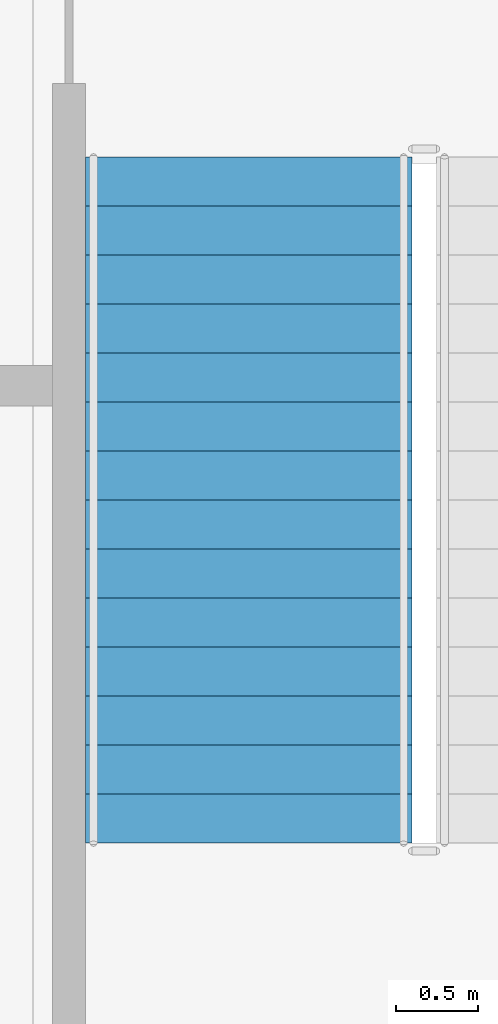
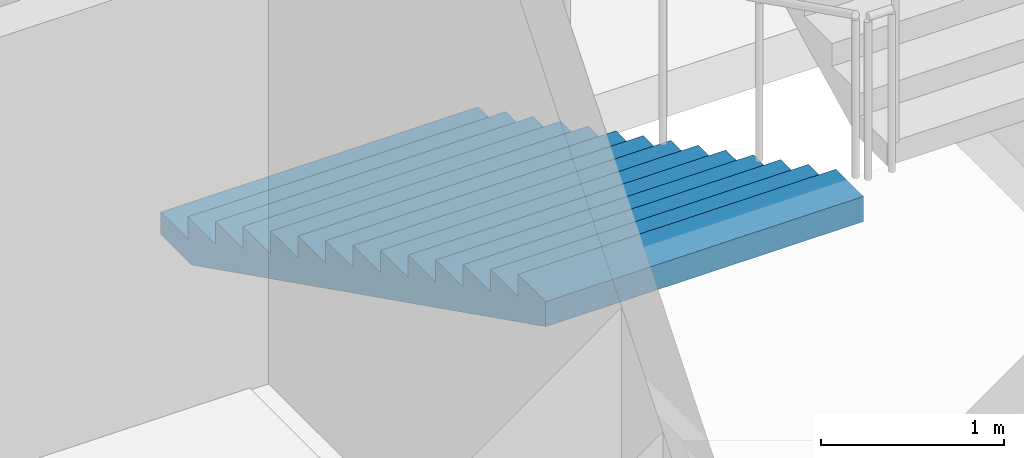
# One storey, part 88 of 95: 1 stair flight, 1 element without a shape of its own.
"""IFC4 building model written with IfcOpenShell, lengths in metres."""

from ifc_helpers import new_model, si_unit, direction, frame, origin, place, context, subcontext, project, spatial, faceted_brep, material, type_object, element, aggregate, save


model = new_model("IFC4")

# Units and contexts
model_context = context("Model", 3, precision=1e-05, world=origin(), true_north=direction((0.0, 1.0)))
body_context = subcontext(model_context, "Body", "Model", "MODEL_VIEW")
ifc_project = project(units=[si_unit("LENGTHUNIT", "METRE"), si_unit("AREAUNIT", "SQUARE_METRE"), si_unit("VOLUMEUNIT", "CUBIC_METRE"), si_unit("PLANEANGLEUNIT", "RADIAN"), si_unit("MASSUNIT", "GRAM", prefix="KILO")], contexts=[model_context])

# Site, building, storey
site_placement = place(None, origin())
site = spatial("IfcSite", under=ifc_project, at=site_placement, CompositionType="ELEMENT")
building_placement = place(site_placement, origin())
building = spatial("IfcBuilding", under=site, at=building_placement, Name="Kiln Court Media Centre", CompositionType="ELEMENT")
storey_placement = place(building_placement, frame((0.0, 0.0, 24.60009765625)))
storey = spatial("IfcBuildingStorey", under=building, at=storey_placement, Name="L05", CompositionType="ELEMENT", Elevation=24.60009765625)

# Stair, stair flight
ifc_material_1 = material(Name="Concrete C40/50", Category="concrete")
stair_type = type_object("IfcStairType", Name="Concrete C40/50 dog-leg stair 2000 wide, 150 riser", PredefinedType="HALF_TURN_STAIR", material=ifc_material_1)
stair_placement = place(storey_placement, origin())
stair = element("IfcStair", 1, at=stair_placement, inside=storey, type_object=stair_type, Name="ST-08 L05", PredefinedType="HALF_TURN_STAIR")
ifc_material_2 = material(Name="Concrete C40/50", Category="concrete")
stair_flight_type = type_object("IfcStairFlightType", Name="Concrete C40/50 stair flight 2000 wide, 150 riser, 300 going", PredefinedType="STRAIGHT", material=ifc_material_2)
stair_flight_placement = place(storey_placement, frame((30.0, 64.39990234375, 0.0), z_axis=(0.0, 0.0, 1.0), x_axis=(0.0, -1.0, 0.0)))
stair_flight = element("IfcStairFlight", 2, at=stair_flight_placement, type_object=stair_flight_type, Name="L05-ST-5004 flight 5008", NumberOfRisers=15, NumberOfTreads=14, PredefinedType="STRAIGHT", RiserHeight=0.15, TreadLength=0.3, context=body_context, shape_type="Brep", body=[
    faceted_brep([(0.335205078125, -1.0, 0.0), (4.199951171875, -1.0, 1.932373046875), (4.199951171875, -1.0, 2.10009765625), (3.89990234375, -1.0, 2.10009765625), (3.89990234375, -1.0, 1.949951171875), (3.60009765625, -1.0, 1.949951171875), (3.60009765625, -1.0, 1.800048828125), (3.300048828125, -1.0, 1.800048828125), (3.300048828125, -1.0, 1.64990234375), (3.0, -1.0, 1.64990234375), (3.0, -1.0, 1.5), (2.699951171875, -1.0, 1.5), (2.699951171875, -1.0, 1.35009765625), (2.39990234375, -1.0, 1.35009765625), (2.39990234375, -1.0, 1.199951171875), (2.10009765625, -1.0, 1.199951171875), (2.10009765625, -1.0, 1.050048828125), (1.800048828125, -1.0, 1.050048828125), (1.800048828125, -1.0, 0.89990234375), (1.5, -1.0, 0.89990234375), (1.5, -1.0, 0.75), (1.199951171875, -1.0, 0.75), (1.199951171875, -1.0, 0.60009765625), (0.89990234375, -1.0, 0.60009765625), (0.89990234375, -1.0, 0.449951171875), (0.60009765625, -1.0, 0.449951171875), (0.60009765625, -1.0, 0.300048828125), (0.300048828125, -1.0, 0.300048828125), (0.300048828125, -1.0, 0.14990234375), (0.0, -1.0, 0.14990234375), (0.0, -1.0, 0.0), (0.0, 1.0, 0.0), (0.0, 1.0, 0.14990234375), (0.300048828125, 1.0, 0.14990234375), (0.300048828125, 1.0, 0.300048828125), (0.60009765625, 1.0, 0.300048828125), (0.60009765625, 1.0, 0.449951171875), (0.89990234375, 1.0, 0.449951171875), (0.89990234375, 1.0, 0.60009765625), (1.199951171875, 1.0, 0.60009765625), (1.199951171875, 1.0, 0.75), (1.5, 1.0, 0.75), (1.5, 1.0, 0.89990234375), (1.800048828125, 1.0, 0.89990234375), (1.800048828125, 1.0, 1.050048828125), (2.10009765625, 1.0, 1.050048828125), (2.10009765625, 1.0, 1.199951171875), (2.39990234375, 1.0, 1.199951171875), (2.39990234375, 1.0, 1.35009765625), (2.699951171875, 1.0, 1.35009765625), (2.699951171875, 1.0, 1.5), (3.0, 1.0, 1.5), (3.0, 1.0, 1.64990234375), (3.300048828125, 1.0, 1.64990234375), (3.300048828125, 1.0, 1.800048828125), (3.60009765625, 1.0, 1.800048828125), (3.60009765625, 1.0, 1.949951171875), (3.89990234375, 1.0, 1.949951171875), (3.89990234375, 1.0, 2.10009765625), (4.199951171875, 1.0, 2.10009765625), (4.199951171875, 1.0, 1.932373046875), (0.335205078125, 1.0, 0.0), (4.199951171875, 0.10009765625, 1.932373046875), (0.335205078125, 0.10009765625, 0.0), (4.199951171875, 0.080078125, 1.932373046875), (0.335205078125, 0.080078125, 0.0), (4.199951171875, 0.06005859375, 1.932373046875), (0.335205078125, 0.06005859375, 0.0), (4.199951171875, 0.0400390625, 1.932373046875), (0.335205078125, 0.0400390625, 0.0), (4.199951171875, 0.02001953125, 1.932373046875), (0.335205078125, 0.02001953125, 0.0), (4.199951171875, 0.0, 1.932373046875), (0.335205078125, 0.0, 0.0), (4.199951171875, -0.02001953125, 1.932373046875), (0.335205078125, -0.02001953125, 0.0), (4.199951171875, -0.0400390625, 1.932373046875), (0.335205078125, -0.0400390625, 0.0), (4.199951171875, -0.06005859375, 1.932373046875), (0.335205078125, -0.06005859375, 0.0), (4.199951171875, -0.080078125, 1.932373046875), (0.335205078125, -0.080078125, 0.0), (4.199951171875, -0.10009765625, 1.932373046875), (0.335205078125, -0.10009765625, 0.0), (4.199951171875, 0.10009765625, 2.10009765625), (4.199951171875, 0.080078125, 2.10009765625), (4.199951171875, 0.06005859375, 2.10009765625), (4.199951171875, 0.0400390625, 2.10009765625), (4.199951171875, 0.02001953125, 2.10009765625), (4.199951171875, 0.0, 2.10009765625), (4.199951171875, -0.02001953125, 2.10009765625), (4.199951171875, -0.0400390625, 2.10009765625), (4.199951171875, -0.06005859375, 2.10009765625), (4.199951171875, -0.080078125, 2.10009765625), (4.199951171875, -0.10009765625, 2.10009765625), (3.89990234375, 0.10009765625, 2.10009765625), (3.89990234375, 0.080078125, 2.10009765625), (3.89990234375, 0.06005859375, 2.10009765625), (3.89990234375, 0.0400390625, 2.10009765625), (3.89990234375, 0.02001953125, 2.10009765625), (3.89990234375, 0.0, 2.10009765625), (3.89990234375, -0.02001953125, 2.10009765625), (3.89990234375, -0.0400390625, 2.10009765625), (3.89990234375, -0.06005859375, 2.10009765625), (3.89990234375, -0.080078125, 2.10009765625), (3.89990234375, -0.10009765625, 2.10009765625), (3.89990234375, 0.10009765625, 1.949951171875), (3.89990234375, 0.080078125, 1.949951171875), (3.89990234375, 0.06005859375, 1.949951171875), (3.89990234375, 0.0400390625, 1.949951171875), (3.89990234375, 0.02001953125, 1.949951171875), (3.89990234375, 0.0, 1.949951171875), (3.89990234375, -0.02001953125, 1.949951171875), (3.89990234375, -0.0400390625, 1.949951171875), (3.89990234375, -0.06005859375, 1.949951171875), (3.89990234375, -0.080078125, 1.949951171875), (3.89990234375, -0.10009765625, 1.949951171875), (3.60009765625, 0.10009765625, 1.949951171875), (3.60009765625, 0.080078125, 1.949951171875), (3.60009765625, 0.06005859375, 1.949951171875), (3.60009765625, 0.0400390625, 1.949951171875), (3.60009765625, 0.02001953125, 1.949951171875), (3.60009765625, 0.0, 1.949951171875), (3.60009765625, -0.02001953125, 1.949951171875), (3.60009765625, -0.0400390625, 1.949951171875), (3.60009765625, -0.06005859375, 1.949951171875), (3.60009765625, -0.080078125, 1.949951171875), (3.60009765625, -0.10009765625, 1.949951171875), (3.60009765625, 0.10009765625, 1.800048828125), (3.60009765625, 0.080078125, 1.800048828125), (3.60009765625, 0.06005859375, 1.800048828125), (3.60009765625, 0.0400390625, 1.800048828125), (3.60009765625, 0.02001953125, 1.800048828125), (3.60009765625, 0.0, 1.800048828125), (3.60009765625, -0.02001953125, 1.800048828125), (3.60009765625, -0.0400390625, 1.800048828125), (3.60009765625, -0.06005859375, 1.800048828125), (3.60009765625, -0.080078125, 1.800048828125), (3.60009765625, -0.10009765625, 1.800048828125), (3.300048828125, 0.10009765625, 1.800048828125), (3.300048828125, 0.080078125, 1.800048828125), (3.300048828125, 0.06005859375, 1.800048828125), (3.300048828125, 0.0400390625, 1.800048828125), (3.300048828125, 0.02001953125, 1.800048828125), (3.300048828125, 0.0, 1.800048828125), (3.300048828125, -0.02001953125, 1.800048828125), (3.300048828125, -0.0400390625, 1.800048828125), (3.300048828125, -0.06005859375, 1.800048828125), (3.300048828125, -0.080078125, 1.800048828125), (3.300048828125, -0.10009765625, 1.800048828125), (3.300048828125, 0.10009765625, 1.64990234375), (3.300048828125, 0.080078125, 1.64990234375), (3.300048828125, 0.06005859375, 1.64990234375), (3.300048828125, 0.0400390625, 1.64990234375), (3.300048828125, 0.02001953125, 1.64990234375), (3.300048828125, 0.0, 1.64990234375), (3.300048828125, -0.02001953125, 1.64990234375), (3.300048828125, -0.0400390625, 1.64990234375), (3.300048828125, -0.06005859375, 1.64990234375), (3.300048828125, -0.080078125, 1.64990234375), (3.300048828125, -0.10009765625, 1.64990234375), (3.0, 0.10009765625, 1.64990234375), (3.0, 0.080078125, 1.64990234375), (3.0, 0.06005859375, 1.64990234375), (3.0, 0.0400390625, 1.64990234375), (3.0, 0.02001953125, 1.64990234375), (3.0, 0.0, 1.64990234375), (3.0, -0.02001953125, 1.64990234375), (3.0, -0.0400390625, 1.64990234375), (3.0, -0.06005859375, 1.64990234375), (3.0, -0.080078125, 1.64990234375), (3.0, -0.10009765625, 1.64990234375), (3.0, 0.10009765625, 1.5), (3.0, 0.080078125, 1.5), (3.0, 0.06005859375, 1.5), (3.0, 0.0400390625, 1.5), (3.0, 0.02001953125, 1.5), (3.0, 0.0, 1.5), (3.0, -0.02001953125, 1.5), (3.0, -0.0400390625, 1.5), (3.0, -0.06005859375, 1.5), (3.0, -0.080078125, 1.5), (3.0, -0.10009765625, 1.5), (2.699951171875, 0.10009765625, 1.5), (2.699951171875, 0.080078125, 1.5), (2.699951171875, 0.06005859375, 1.5), (2.699951171875, 0.0400390625, 1.5), (2.699951171875, 0.02001953125, 1.5), (2.699951171875, 0.0, 1.5), (2.699951171875, -0.02001953125, 1.5), (2.699951171875, -0.0400390625, 1.5), (2.699951171875, -0.06005859375, 1.5), (2.699951171875, -0.080078125, 1.5), (2.699951171875, -0.10009765625, 1.5), (2.699951171875, 0.10009765625, 1.35009765625), (2.699951171875, 0.080078125, 1.35009765625), (2.699951171875, 0.06005859375, 1.35009765625), (2.699951171875, 0.0400390625, 1.35009765625), (2.699951171875, 0.02001953125, 1.35009765625), (2.699951171875, 0.0, 1.35009765625), (2.699951171875, -0.02001953125, 1.35009765625), (2.699951171875, -0.0400390625, 1.35009765625), (2.699951171875, -0.06005859375, 1.35009765625), (2.699951171875, -0.080078125, 1.35009765625), (2.699951171875, -0.10009765625, 1.35009765625), (2.39990234375, 0.10009765625, 1.35009765625), (2.39990234375, 0.080078125, 1.35009765625), (2.39990234375, 0.06005859375, 1.35009765625), (2.39990234375, 0.0400390625, 1.35009765625), (2.39990234375, 0.02001953125, 1.35009765625), (2.39990234375, 0.0, 1.35009765625), (2.39990234375, -0.02001953125, 1.35009765625), (2.39990234375, -0.0400390625, 1.35009765625), (2.39990234375, -0.06005859375, 1.35009765625), (2.39990234375, -0.080078125, 1.35009765625), (2.39990234375, -0.10009765625, 1.35009765625), (2.39990234375, 0.10009765625, 1.199951171875), (2.39990234375, 0.080078125, 1.199951171875), (2.39990234375, 0.06005859375, 1.199951171875), (2.39990234375, 0.0400390625, 1.199951171875), (2.39990234375, 0.02001953125, 1.199951171875), (2.39990234375, 0.0, 1.199951171875), (2.39990234375, -0.02001953125, 1.199951171875), (2.39990234375, -0.0400390625, 1.199951171875), (2.39990234375, -0.06005859375, 1.199951171875), (2.39990234375, -0.080078125, 1.199951171875), (2.39990234375, -0.10009765625, 1.199951171875), (2.10009765625, 0.10009765625, 1.199951171875), (2.10009765625, 0.080078125, 1.199951171875), (2.10009765625, 0.06005859375, 1.199951171875), (2.10009765625, 0.0400390625, 1.199951171875), (2.10009765625, 0.02001953125, 1.199951171875), (2.10009765625, 0.0, 1.199951171875), (2.10009765625, -0.02001953125, 1.199951171875), (2.10009765625, -0.0400390625, 1.199951171875), (2.10009765625, -0.06005859375, 1.199951171875), (2.10009765625, -0.080078125, 1.199951171875), (2.10009765625, -0.10009765625, 1.199951171875), (2.10009765625, 0.10009765625, 1.050048828125), (2.10009765625, 0.080078125, 1.050048828125), (2.10009765625, 0.06005859375, 1.050048828125), (2.10009765625, 0.0400390625, 1.050048828125), (2.10009765625, 0.02001953125, 1.050048828125), (2.10009765625, 0.0, 1.050048828125), (2.10009765625, -0.02001953125, 1.050048828125), (2.10009765625, -0.0400390625, 1.050048828125), (2.10009765625, -0.06005859375, 1.050048828125), (2.10009765625, -0.080078125, 1.050048828125), (2.10009765625, -0.10009765625, 1.050048828125), (1.800048828125, 0.10009765625, 1.050048828125), (1.800048828125, 0.080078125, 1.050048828125), (1.800048828125, 0.06005859375, 1.050048828125), (1.800048828125, 0.0400390625, 1.050048828125), (1.800048828125, 0.02001953125, 1.050048828125), (1.800048828125, 0.0, 1.050048828125), (1.800048828125, -0.02001953125, 1.050048828125), (1.800048828125, -0.0400390625, 1.050048828125), (1.800048828125, -0.06005859375, 1.050048828125), (1.800048828125, -0.080078125, 1.050048828125), (1.800048828125, -0.10009765625, 1.050048828125), (1.800048828125, 0.10009765625, 0.89990234375), (1.800048828125, 0.080078125, 0.89990234375), (1.800048828125, 0.06005859375, 0.89990234375), (1.800048828125, 0.0400390625, 0.89990234375), (1.800048828125, 0.02001953125, 0.89990234375), (1.800048828125, 0.0, 0.89990234375), (1.800048828125, -0.02001953125, 0.89990234375), (1.800048828125, -0.0400390625, 0.89990234375), (1.800048828125, -0.06005859375, 0.89990234375), (1.800048828125, -0.080078125, 0.89990234375), (1.800048828125, -0.10009765625, 0.89990234375), (1.5, 0.10009765625, 0.89990234375), (1.5, 0.080078125, 0.89990234375), (1.5, 0.06005859375, 0.89990234375), (1.5, 0.0400390625, 0.89990234375), (1.5, 0.02001953125, 0.89990234375), (1.5, 0.0, 0.89990234375), (1.5, -0.02001953125, 0.89990234375), (1.5, -0.0400390625, 0.89990234375), (1.5, -0.06005859375, 0.89990234375), (1.5, -0.080078125, 0.89990234375), (1.5, -0.10009765625, 0.89990234375), (1.5, 0.10009765625, 0.75), (1.5, 0.080078125, 0.75), (1.5, 0.06005859375, 0.75), (1.5, 0.0400390625, 0.75), (1.5, 0.02001953125, 0.75), (1.5, 0.0, 0.75), (1.5, -0.02001953125, 0.75), (1.5, -0.0400390625, 0.75), (1.5, -0.06005859375, 0.75), (1.5, -0.080078125, 0.75), (1.5, -0.10009765625, 0.75), (1.199951171875, 0.10009765625, 0.75), (1.199951171875, 0.080078125, 0.75), (1.199951171875, 0.06005859375, 0.75), (1.199951171875, 0.0400390625, 0.75), (1.199951171875, 0.02001953125, 0.75), (1.199951171875, 0.0, 0.75), (1.199951171875, -0.02001953125, 0.75), (1.199951171875, -0.0400390625, 0.75), (1.199951171875, -0.06005859375, 0.75), (1.199951171875, -0.080078125, 0.75), (1.199951171875, -0.10009765625, 0.75), (1.199951171875, 0.10009765625, 0.60009765625), (1.199951171875, 0.080078125, 0.60009765625), (1.199951171875, 0.06005859375, 0.60009765625), (1.199951171875, 0.0400390625, 0.60009765625), (1.199951171875, 0.02001953125, 0.60009765625), (1.199951171875, 0.0, 0.60009765625), (1.199951171875, -0.02001953125, 0.60009765625), (1.199951171875, -0.0400390625, 0.60009765625), (1.199951171875, -0.06005859375, 0.60009765625), (1.199951171875, -0.080078125, 0.60009765625), (1.199951171875, -0.10009765625, 0.60009765625), (0.89990234375, 0.10009765625, 0.60009765625), (0.89990234375, 0.080078125, 0.60009765625), (0.89990234375, 0.06005859375, 0.60009765625), (0.89990234375, 0.0400390625, 0.60009765625), (0.89990234375, 0.02001953125, 0.60009765625), (0.89990234375, 0.0, 0.60009765625), (0.89990234375, -0.02001953125, 0.60009765625), (0.89990234375, -0.0400390625, 0.60009765625), (0.89990234375, -0.06005859375, 0.60009765625), (0.89990234375, -0.080078125, 0.60009765625), (0.89990234375, -0.10009765625, 0.60009765625), (0.89990234375, 0.10009765625, 0.449951171875), (0.89990234375, 0.080078125, 0.449951171875), (0.89990234375, 0.06005859375, 0.449951171875), (0.89990234375, 0.0400390625, 0.449951171875), (0.89990234375, 0.02001953125, 0.449951171875), (0.89990234375, 0.0, 0.449951171875), (0.89990234375, -0.02001953125, 0.449951171875), (0.89990234375, -0.0400390625, 0.449951171875), (0.89990234375, -0.06005859375, 0.449951171875), (0.89990234375, -0.080078125, 0.449951171875), (0.89990234375, -0.10009765625, 0.449951171875), (0.60009765625, 0.10009765625, 0.449951171875), (0.60009765625, 0.080078125, 0.449951171875), (0.60009765625, 0.06005859375, 0.449951171875), (0.60009765625, 0.0400390625, 0.449951171875), (0.60009765625, 0.02001953125, 0.449951171875), (0.60009765625, 0.0, 0.449951171875), (0.60009765625, -0.02001953125, 0.449951171875), (0.60009765625, -0.0400390625, 0.449951171875), (0.60009765625, -0.06005859375, 0.449951171875), (0.60009765625, -0.080078125, 0.449951171875), (0.60009765625, -0.10009765625, 0.449951171875), (0.60009765625, 0.10009765625, 0.300048828125), (0.60009765625, 0.080078125, 0.300048828125), (0.60009765625, 0.06005859375, 0.300048828125), (0.60009765625, 0.0400390625, 0.300048828125), (0.60009765625, 0.02001953125, 0.300048828125), (0.60009765625, 0.0, 0.300048828125), (0.60009765625, -0.02001953125, 0.300048828125), (0.60009765625, -0.0400390625, 0.300048828125), (0.60009765625, -0.06005859375, 0.300048828125), (0.60009765625, -0.080078125, 0.300048828125), (0.60009765625, -0.10009765625, 0.300048828125), (0.300048828125, 0.10009765625, 0.300048828125), (0.300048828125, 0.080078125, 0.300048828125), (0.300048828125, 0.06005859375, 0.300048828125), (0.300048828125, 0.0400390625, 0.300048828125), (0.300048828125, 0.02001953125, 0.300048828125), (0.300048828125, 0.0, 0.300048828125), (0.300048828125, -0.02001953125, 0.300048828125), (0.300048828125, -0.0400390625, 0.300048828125), (0.300048828125, -0.06005859375, 0.300048828125), (0.300048828125, -0.080078125, 0.300048828125), (0.300048828125, -0.10009765625, 0.300048828125), (0.300048828125, 0.10009765625, 0.14990234375), (0.300048828125, 0.080078125, 0.14990234375), (0.300048828125, 0.06005859375, 0.14990234375), (0.300048828125, 0.0400390625, 0.14990234375), (0.300048828125, 0.02001953125, 0.14990234375), (0.300048828125, 0.0, 0.14990234375), (0.300048828125, -0.02001953125, 0.14990234375), (0.300048828125, -0.0400390625, 0.14990234375), (0.300048828125, -0.06005859375, 0.14990234375), (0.300048828125, -0.080078125, 0.14990234375), (0.300048828125, -0.10009765625, 0.14990234375), (0.0, 0.10009765625, 0.14990234375), (0.0, 0.080078125, 0.14990234375), (0.0, 0.06005859375, 0.14990234375), (0.0, 0.0400390625, 0.14990234375), (0.0, 0.02001953125, 0.14990234375), (0.0, 0.0, 0.14990234375), (0.0, -0.02001953125, 0.14990234375), (0.0, -0.0400390625, 0.14990234375), (0.0, -0.06005859375, 0.14990234375), (0.0, -0.080078125, 0.14990234375), (0.0, -0.10009765625, 0.14990234375), (0.0, 0.10009765625, 0.0), (0.0, 0.080078125, 0.0), (0.0, 0.06005859375, 0.0), (0.0, 0.0400390625, 0.0), (0.0, 0.02001953125, 0.0), (0.0, 0.0, 0.0), (0.0, -0.02001953125, 0.0), (0.0, -0.0400390625, 0.0), (0.0, -0.06005859375, 0.0), (0.0, -0.080078125, 0.0), (0.0, -0.10009765625, 0.0)], [[[0, 1, 2, 3, 4, 5, 6, 7, 8, 9, 10, 11, 12, 13, 14, 15, 16, 17, 18, 19, 20, 21, 22, 23, 24, 25, 26, 27, 28, 29, 30]], [[31, 32, 33, 34, 35, 36, 37, 38, 39, 40, 41, 42, 43, 44, 45, 46, 47, 48, 49, 50, 51, 52, 53, 54, 55, 56, 57, 58, 59, 60, 61]], [[61, 60, 62, 63]], [[63, 62, 64, 65]], [[65, 64, 66, 67]], [[67, 66, 68, 69]], [[69, 68, 70, 71]], [[71, 70, 72, 73]], [[73, 72, 74, 75]], [[75, 74, 76, 77]], [[77, 76, 78, 79]], [[79, 78, 80, 81]], [[81, 80, 82, 83]], [[83, 82, 1, 0]], [[60, 59, 84, 62]], [[62, 84, 85, 64]], [[64, 85, 86, 66]], [[66, 86, 87, 68]], [[68, 87, 88, 70]], [[70, 88, 89, 72]], [[72, 89, 90, 74]], [[74, 90, 91, 76]], [[76, 91, 92, 78]], [[78, 92, 93, 80]], [[80, 93, 94, 82]], [[82, 94, 2, 1]], [[59, 58, 95, 84]], [[84, 95, 96, 85]], [[85, 96, 97, 86]], [[86, 97, 98, 87]], [[87, 98, 99, 88]], [[88, 99, 100, 89]], [[89, 100, 101, 90]], [[90, 101, 102, 91]], [[91, 102, 103, 92]], [[92, 103, 104, 93]], [[93, 104, 105, 94]], [[94, 105, 3, 2]], [[58, 57, 106, 95]], [[95, 106, 107, 96]], [[96, 107, 108, 97]], [[97, 108, 109, 98]], [[98, 109, 110, 99]], [[99, 110, 111, 100]], [[100, 111, 112, 101]], [[101, 112, 113, 102]], [[102, 113, 114, 103]], [[103, 114, 115, 104]], [[104, 115, 116, 105]], [[105, 116, 4, 3]], [[57, 56, 117, 106]], [[106, 117, 118, 107]], [[107, 118, 119, 108]], [[108, 119, 120, 109]], [[109, 120, 121, 110]], [[110, 121, 122, 111]], [[111, 122, 123, 112]], [[112, 123, 124, 113]], [[113, 124, 125, 114]], [[114, 125, 126, 115]], [[115, 126, 127, 116]], [[116, 127, 5, 4]], [[56, 55, 128, 117]], [[117, 128, 129, 118]], [[118, 129, 130, 119]], [[119, 130, 131, 120]], [[120, 131, 132, 121]], [[121, 132, 133, 122]], [[122, 133, 134, 123]], [[123, 134, 135, 124]], [[124, 135, 136, 125]], [[125, 136, 137, 126]], [[126, 137, 138, 127]], [[127, 138, 6, 5]], [[55, 54, 139, 128]], [[128, 139, 140, 129]], [[129, 140, 141, 130]], [[130, 141, 142, 131]], [[131, 142, 143, 132]], [[132, 143, 144, 133]], [[133, 144, 145, 134]], [[134, 145, 146, 135]], [[135, 146, 147, 136]], [[136, 147, 148, 137]], [[137, 148, 149, 138]], [[138, 149, 7, 6]], [[54, 53, 150, 139]], [[139, 150, 151, 140]], [[140, 151, 152, 141]], [[141, 152, 153, 142]], [[142, 153, 154, 143]], [[143, 154, 155, 144]], [[144, 155, 156, 145]], [[145, 156, 157, 146]], [[146, 157, 158, 147]], [[147, 158, 159, 148]], [[148, 159, 160, 149]], [[149, 160, 8, 7]], [[53, 52, 161, 150]], [[150, 161, 162, 151]], [[151, 162, 163, 152]], [[152, 163, 164, 153]], [[153, 164, 165, 154]], [[154, 165, 166, 155]], [[155, 166, 167, 156]], [[156, 167, 168, 157]], [[157, 168, 169, 158]], [[158, 169, 170, 159]], [[159, 170, 171, 160]], [[160, 171, 9, 8]], [[52, 51, 172, 161]], [[161, 172, 173, 162]], [[162, 173, 174, 163]], [[163, 174, 175, 164]], [[164, 175, 176, 165]], [[165, 176, 177, 166]], [[166, 177, 178, 167]], [[167, 178, 179, 168]], [[168, 179, 180, 169]], [[169, 180, 181, 170]], [[170, 181, 182, 171]], [[171, 182, 10, 9]], [[51, 50, 183, 172]], [[172, 183, 184, 173]], [[173, 184, 185, 174]], [[174, 185, 186, 175]], [[175, 186, 187, 176]], [[176, 187, 188, 177]], [[177, 188, 189, 178]], [[178, 189, 190, 179]], [[179, 190, 191, 180]], [[180, 191, 192, 181]], [[181, 192, 193, 182]], [[182, 193, 11, 10]], [[50, 49, 194, 183]], [[183, 194, 195, 184]], [[184, 195, 196, 185]], [[185, 196, 197, 186]], [[186, 197, 198, 187]], [[187, 198, 199, 188]], [[188, 199, 200, 189]], [[189, 200, 201, 190]], [[190, 201, 202, 191]], [[191, 202, 203, 192]], [[192, 203, 204, 193]], [[193, 204, 12, 11]], [[49, 48, 205, 194]], [[194, 205, 206, 195]], [[195, 206, 207, 196]], [[196, 207, 208, 197]], [[197, 208, 209, 198]], [[198, 209, 210, 199]], [[199, 210, 211, 200]], [[200, 211, 212, 201]], [[201, 212, 213, 202]], [[202, 213, 214, 203]], [[203, 214, 215, 204]], [[204, 215, 13, 12]], [[48, 47, 216, 205]], [[205, 216, 217, 206]], [[206, 217, 218, 207]], [[207, 218, 219, 208]], [[208, 219, 220, 209]], [[209, 220, 221, 210]], [[210, 221, 222, 211]], [[211, 222, 223, 212]], [[212, 223, 224, 213]], [[213, 224, 225, 214]], [[214, 225, 226, 215]], [[215, 226, 14, 13]], [[47, 46, 227, 216]], [[216, 227, 228, 217]], [[217, 228, 229, 218]], [[218, 229, 230, 219]], [[219, 230, 231, 220]], [[220, 231, 232, 221]], [[221, 232, 233, 222]], [[222, 233, 234, 223]], [[223, 234, 235, 224]], [[224, 235, 236, 225]], [[225, 236, 237, 226]], [[226, 237, 15, 14]], [[46, 45, 238, 227]], [[227, 238, 239, 228]], [[228, 239, 240, 229]], [[229, 240, 241, 230]], [[230, 241, 242, 231]], [[231, 242, 243, 232]], [[232, 243, 244, 233]], [[233, 244, 245, 234]], [[234, 245, 246, 235]], [[235, 246, 247, 236]], [[236, 247, 248, 237]], [[237, 248, 16, 15]], [[45, 44, 249, 238]], [[238, 249, 250, 239]], [[239, 250, 251, 240]], [[240, 251, 252, 241]], [[241, 252, 253, 242]], [[242, 253, 254, 243]], [[243, 254, 255, 244]], [[244, 255, 256, 245]], [[245, 256, 257, 246]], [[246, 257, 258, 247]], [[247, 258, 259, 248]], [[248, 259, 17, 16]], [[44, 43, 260, 249]], [[249, 260, 261, 250]], [[250, 261, 262, 251]], [[251, 262, 263, 252]], [[252, 263, 264, 253]], [[253, 264, 265, 254]], [[254, 265, 266, 255]], [[255, 266, 267, 256]], [[256, 267, 268, 257]], [[257, 268, 269, 258]], [[258, 269, 270, 259]], [[259, 270, 18, 17]], [[43, 42, 271, 260]], [[260, 271, 272, 261]], [[261, 272, 273, 262]], [[262, 273, 274, 263]], [[263, 274, 275, 264]], [[264, 275, 276, 265]], [[265, 276, 277, 266]], [[266, 277, 278, 267]], [[267, 278, 279, 268]], [[268, 279, 280, 269]], [[269, 280, 281, 270]], [[270, 281, 19, 18]], [[42, 41, 282, 271]], [[271, 282, 283, 272]], [[272, 283, 284, 273]], [[273, 284, 285, 274]], [[274, 285, 286, 275]], [[275, 286, 287, 276]], [[276, 287, 288, 277]], [[277, 288, 289, 278]], [[278, 289, 290, 279]], [[279, 290, 291, 280]], [[280, 291, 292, 281]], [[281, 292, 20, 19]], [[41, 40, 293, 282]], [[282, 293, 294, 283]], [[283, 294, 295, 284]], [[284, 295, 296, 285]], [[285, 296, 297, 286]], [[286, 297, 298, 287]], [[287, 298, 299, 288]], [[288, 299, 300, 289]], [[289, 300, 301, 290]], [[290, 301, 302, 291]], [[291, 302, 303, 292]], [[292, 303, 21, 20]], [[40, 39, 304, 293]], [[293, 304, 305, 294]], [[294, 305, 306, 295]], [[295, 306, 307, 296]], [[296, 307, 308, 297]], [[297, 308, 309, 298]], [[298, 309, 310, 299]], [[299, 310, 311, 300]], [[300, 311, 312, 301]], [[301, 312, 313, 302]], [[302, 313, 314, 303]], [[303, 314, 22, 21]], [[39, 38, 315, 304]], [[304, 315, 316, 305]], [[305, 316, 317, 306]], [[306, 317, 318, 307]], [[307, 318, 319, 308]], [[308, 319, 320, 309]], [[309, 320, 321, 310]], [[310, 321, 322, 311]], [[311, 322, 323, 312]], [[312, 323, 324, 313]], [[313, 324, 325, 314]], [[314, 325, 23, 22]], [[38, 37, 326, 315]], [[315, 326, 327, 316]], [[316, 327, 328, 317]], [[317, 328, 329, 318]], [[318, 329, 330, 319]], [[319, 330, 331, 320]], [[320, 331, 332, 321]], [[321, 332, 333, 322]], [[322, 333, 334, 323]], [[323, 334, 335, 324]], [[324, 335, 336, 325]], [[325, 336, 24, 23]], [[37, 36, 337, 326]], [[326, 337, 338, 327]], [[327, 338, 339, 328]], [[328, 339, 340, 329]], [[329, 340, 341, 330]], [[330, 341, 342, 331]], [[331, 342, 343, 332]], [[332, 343, 344, 333]], [[333, 344, 345, 334]], [[334, 345, 346, 335]], [[335, 346, 347, 336]], [[336, 347, 25, 24]], [[36, 35, 348, 337]], [[337, 348, 349, 338]], [[338, 349, 350, 339]], [[339, 350, 351, 340]], [[340, 351, 352, 341]], [[341, 352, 353, 342]], [[342, 353, 354, 343]], [[343, 354, 355, 344]], [[344, 355, 356, 345]], [[345, 356, 357, 346]], [[346, 357, 358, 347]], [[347, 358, 26, 25]], [[35, 34, 359, 348]], [[348, 359, 360, 349]], [[349, 360, 361, 350]], [[350, 361, 362, 351]], [[351, 362, 363, 352]], [[352, 363, 364, 353]], [[353, 364, 365, 354]], [[354, 365, 366, 355]], [[355, 366, 367, 356]], [[356, 367, 368, 357]], [[357, 368, 369, 358]], [[358, 369, 27, 26]], [[34, 33, 370, 359]], [[359, 370, 371, 360]], [[360, 371, 372, 361]], [[361, 372, 373, 362]], [[362, 373, 374, 363]], [[363, 374, 375, 364]], [[364, 375, 376, 365]], [[365, 376, 377, 366]], [[366, 377, 378, 367]], [[367, 378, 379, 368]], [[368, 379, 380, 369]], [[369, 380, 28, 27]], [[33, 32, 381, 370]], [[370, 381, 382, 371]], [[371, 382, 383, 372]], [[372, 383, 384, 373]], [[373, 384, 385, 374]], [[374, 385, 386, 375]], [[375, 386, 387, 376]], [[376, 387, 388, 377]], [[377, 388, 389, 378]], [[378, 389, 390, 379]], [[379, 390, 391, 380]], [[380, 391, 29, 28]], [[32, 31, 392, 381]], [[381, 392, 393, 382]], [[382, 393, 394, 383]], [[383, 394, 395, 384]], [[384, 395, 396, 385]], [[385, 396, 397, 386]], [[386, 397, 398, 387]], [[387, 398, 399, 388]], [[388, 399, 400, 389]], [[389, 400, 401, 390]], [[390, 401, 402, 391]], [[391, 402, 30, 29]], [[31, 61, 63, 392]], [[392, 63, 65, 393]], [[393, 65, 67, 394]], [[394, 67, 69, 395]], [[395, 69, 71, 396]], [[396, 71, 73, 397]], [[397, 73, 75, 398]], [[398, 75, 77, 399]], [[399, 77, 79, 400]], [[400, 79, 81, 401]], [[401, 81, 83, 402]], [[402, 83, 0, 30]]]),
])
aggregate(stair, [stair_flight])

save(model, "model.ifc")
